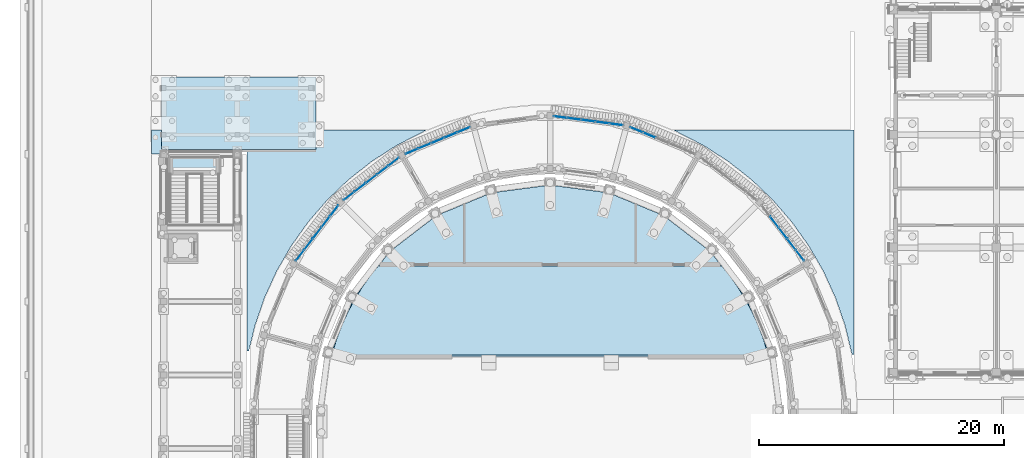
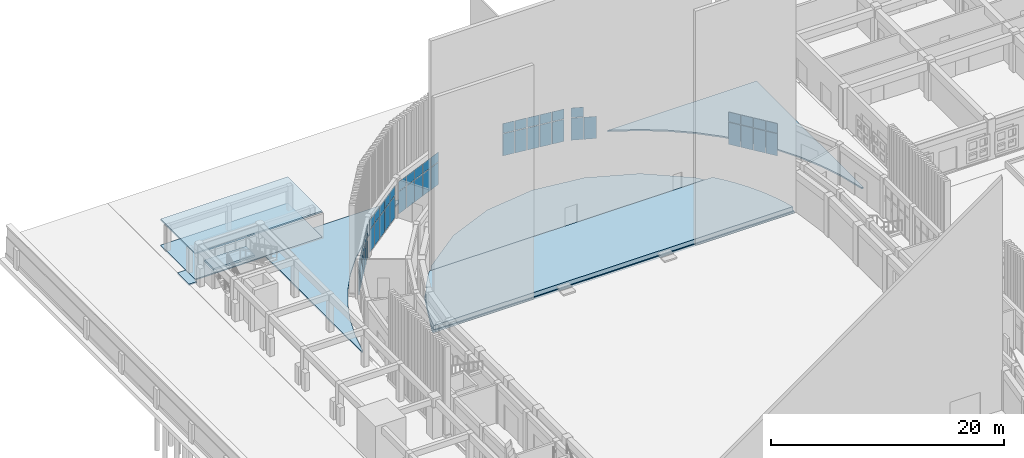
# One storey, part 53 of 112: 51 plates, 8 slabs, 7 elements without a shape of their own.
"""IFC4 building model written with IfcOpenShell, lengths in metres."""

from ifc_helpers import new_model, si_unit, direction, frame, origin, origin_2d, place, context, subcontext, project, spatial, polyline, rectangle, outline, extrude, material, layer, layer_set, type_object, element, aggregate, save


model = new_model("IFC4")

# Units and contexts
model_context = context("Model", 3, precision=1e-05, world=origin(), true_north=direction((0.0, 1.0)))
body_context = subcontext(model_context, "Body", "Model", "MODEL_VIEW")
ifc_project = project(units=[si_unit("LENGTHUNIT", "METRE"), si_unit("AREAUNIT", "SQUARE_METRE"), si_unit("VOLUMEUNIT", "CUBIC_METRE"), si_unit("PLANEANGLEUNIT", "RADIAN"), si_unit("MASSUNIT", "GRAM", prefix="KILO")], contexts=[model_context])

# Site, building, storey
site_placement = place(None, origin())
site = spatial("IfcSite", under=ifc_project, at=site_placement, CompositionType="ELEMENT")
building_placement = place(site_placement, origin())
building = spatial("IfcBuilding", under=site, at=building_placement, Name="Wasatch Bagh Community Centre", CompositionType="ELEMENT")
storey_placement = place(building_placement, origin())
storey = spatial("IfcBuildingStorey", under=building, at=storey_placement, Name="L00", CompositionType="ELEMENT", Elevation=0.0)

# Stair, slab
ifc_material_1 = material(Name="Concrete C35", Category="concrete")
stair_type = type_object("IfcStairType", Name="CT-ST1", PredefinedType="HALF_TURN_STAIR", material=ifc_material_1)
stair_placement = place(storey_placement, origin())
stair = element("IfcStair", 1, at=stair_placement, inside=storey, type_object=stair_type, Name="CS2 stair", PredefinedType="HALF_TURN_STAIR")
ifc_layer_1 = layer(ifc_material_1, 0.199951171875)
ifc_layer_set_1 = layer_set([ifc_layer_1], Name="Concrete C35")
slab_type_1 = type_object("IfcSlabType", Name="CT-SL1", PredefinedType="LANDING", material=ifc_layer_set_1)
slab_1_placement = place(storey_placement, frame((0.0, 0.0, 1.89990234375)))
slab_1 = element("IfcSlab", 2, at=slab_1_placement, type_object=slab_type_1, Name="CS2 landing 1", PredefinedType="LANDING", context=body_context, shape_type="SweptSolid", body=[
    extrude(outline(polyline([(4.949951171875, 85.89990234375), (9.050048828125, 85.89990234375), (9.050048828125, 84.3798828125), (4.949951171875, 84.3798828125), (4.949951171875, 85.89990234375)])), origin(), (0.0, 0.0, 1.0), 0.2001953125),
])
aggregate(stair, [slab_1])

# Curtain wall, plates
ifc_material_2 = material(Name="Aluminium curtain wall frame with low-iron insulated glass", Category="aluminium")
ifc_layer_2 = layer(ifc_material_2, 0.14990234375)
ifc_layer_set_2 = layer_set([ifc_layer_2], Name="Aluminium curtain wall frame with low-iron insulated glass")
curtain_wall_type = type_object("IfcCurtainWallType", Name="Drum curtain wall DR-CW1", PredefinedType="NOTDEFINED", material=ifc_layer_set_2)
curtain_wall_1_placement = place(storey_placement, origin())
curtain_wall_1 = element("IfcCurtainWall", 3, at=curtain_wall_1_placement, inside=storey, type_object=curtain_wall_type, Name="Curtain wall DR-CW1 21", PredefinedType="NOTDEFINED")
ifc_material_3 = material(Name="Low-iron insulated glass", Category="glass")
ifc_layer_3 = layer(ifc_material_3, 0.028076171875)
ifc_layer_set_3 = layer_set([ifc_layer_3], Name="Low-iron insulated glass")
plate_type = type_object("IfcPlateType", Name="Drum glass panel DR-CW1", PredefinedType="CURTAIN_PANEL", material=ifc_layer_set_3)
plate_1_placement = place(storey_placement, frame((56.393798828125, 77.753662109375, 0.06005859375), z_axis=(0.0, 0.0, 1.0), x_axis=(-0.608761429133, 0.793353340196, 0.0)))
plate_1 = element("IfcPlate", 4, at=plate_1_placement, type_object=plate_type, Name="DR-CW1 panel 1.1", PredefinedType="CURTAIN_PANEL", context=body_context, shape_type="SweptSolid", body=[
    extrude(rectangle(XDim=1.06591796875, YDim=0.028076171875, at=origin_2d()), origin(), (0.0, 0.0, 1.0), 2.31005859375),
])
plate_2_placement = place(storey_placement, frame((56.393798828125, 77.753662109375, 2.43017578125), z_axis=(0.0, 0.0, 1.0), x_axis=(-0.608761429133, 0.793353340196, 0.0)))
plate_2 = element("IfcPlate", 5, at=plate_2_placement, type_object=plate_type, Name="DR-CW1 panel 1.2", PredefinedType="CURTAIN_PANEL", context=body_context, shape_type="SweptSolid", body=[
    extrude(rectangle(XDim=1.06591796875, YDim=0.028076171875, at=origin_2d()), origin(), (0.0, 0.0, 1.0), 1.010009765625),
])
plate_3_placement = place(storey_placement, frame((55.69921875, 78.65869140625, 0.06005859375), z_axis=(0.0, 0.0, 1.0), x_axis=(-0.608761429133, 0.793353340196, 0.0)))
plate_3 = element("IfcPlate", 6, at=plate_3_placement, type_object=plate_type, Name="DR-CW1 panel 2.1", PredefinedType="CURTAIN_PANEL", context=body_context, shape_type="SweptSolid", body=[
    extrude(rectangle(XDim=1.095947265625, YDim=0.028076171875, at=origin_2d()), origin(), (0.0, 0.0, 1.0), 2.31005859375),
])
plate_4_placement = place(storey_placement, frame((55.69921875, 78.65869140625, 2.43017578125), z_axis=(0.0, 0.0, 1.0), x_axis=(-0.608761429133, 0.793353340196, 0.0)))
plate_4 = element("IfcPlate", 7, at=plate_4_placement, type_object=plate_type, Name="DR-CW1 panel 2.2", PredefinedType="CURTAIN_PANEL", context=body_context, shape_type="SweptSolid", body=[
    extrude(rectangle(XDim=1.095947265625, YDim=0.028076171875, at=origin_2d()), origin(), (0.0, 0.0, 1.0), 1.010009765625),
])
plate_5_placement = place(storey_placement, frame((54.99560546875, 79.575927734375, 0.06005859375), z_axis=(0.0, 0.0, 1.0), x_axis=(-0.608761429133, 0.793353340196, 0.0)))
plate_5 = element("IfcPlate", 8, at=plate_5_placement, type_object=plate_type, Name="DR-CW1 panel 3.1", PredefinedType="CURTAIN_PANEL", context=body_context, shape_type="SweptSolid", body=[
    extrude(rectangle(XDim=1.095947265625, YDim=0.028076171875, at=origin_2d()), origin(), (0.0, 0.0, 1.0), 2.31005859375),
])
plate_6_placement = place(storey_placement, frame((54.99560546875, 79.575927734375, 2.43017578125), z_axis=(0.0, 0.0, 1.0), x_axis=(-0.608761429133, 0.793353340196, 0.0)))
plate_6 = element("IfcPlate", 9, at=plate_6_placement, type_object=plate_type, Name="DR-CW1 panel 3.2", PredefinedType="CURTAIN_PANEL", context=body_context, shape_type="SweptSolid", body=[
    extrude(rectangle(XDim=1.095947265625, YDim=0.028076171875, at=origin_2d()), origin(), (0.0, 0.0, 1.0), 1.010009765625),
])
plate_7_placement = place(storey_placement, frame((54.2919921875, 80.492919921875, 0.06005859375), z_axis=(0.0, 0.0, 1.0), x_axis=(-0.608761429133, 0.793353340196, 0.0)))
plate_7 = element("IfcPlate", 10, at=plate_7_placement, type_object=plate_type, Name="DR-CW1 panel 4.1", PredefinedType="CURTAIN_PANEL", context=body_context, shape_type="SweptSolid", body=[
    extrude(rectangle(XDim=1.095947265625, YDim=0.028076171875, at=origin_2d()), origin(), (0.0, 0.0, 1.0), 2.31005859375),
])
plate_8_placement = place(storey_placement, frame((54.2919921875, 80.492919921875, 2.43017578125), z_axis=(0.0, 0.0, 1.0), x_axis=(-0.608761429133, 0.793353340196, 0.0)))
plate_8 = element("IfcPlate", 11, at=plate_8_placement, type_object=plate_type, Name="DR-CW1 panel 4.2", PredefinedType="CURTAIN_PANEL", context=body_context, shape_type="SweptSolid", body=[
    extrude(rectangle(XDim=1.095947265625, YDim=0.028076171875, at=origin_2d()), origin(), (0.0, 0.0, 1.0), 1.010009765625),
])
aggregate(curtain_wall_1, [plate_1, plate_2, plate_3, plate_4, plate_5, plate_6, plate_7, plate_8])

curtain_wall_2_placement = place(storey_placement, origin())
curtain_wall_2 = element("IfcCurtainWall", 12, at=curtain_wall_2_placement, inside=storey, type_object=curtain_wall_type, Name="Curtain wall DR-CW1 23", PredefinedType="NOTDEFINED")
plate_9_placement = place(storey_placement, frame((44.094970703125, 87.563232421875, 0.06005859375), z_axis=(0.0, 0.0, 1.0), x_axis=(-0.923879532451, 0.38268343251, 0.0)))
plate_9 = element("IfcPlate", 13, at=plate_9_placement, type_object=plate_type, Name="DR-CW1 panel 4.1", PredefinedType="CURTAIN_PANEL", context=body_context, shape_type="SweptSolid", body=[
    extrude(rectangle(XDim=1.095947265625, YDim=0.028076171875, at=origin_2d()), origin(), (0.0, 0.0, 1.0), 2.31005859375),
])
plate_10_placement = place(storey_placement, frame((43.040771484375, 87.999755859375, 0.06005859375), z_axis=(0.0, 0.0, 1.0), x_axis=(-0.923879532451, 0.38268343251, 0.0)))
plate_10 = element("IfcPlate", 14, at=plate_10_placement, type_object=plate_type, Name="DR-CW1 panel 5.1", PredefinedType="CURTAIN_PANEL", context=body_context, shape_type="SweptSolid", body=[
    extrude(rectangle(XDim=1.06591796875, YDim=0.028076171875, at=origin_2d()), origin(), (0.0, 0.0, 1.0), 2.31005859375),
])
plate_11_placement = place(storey_placement, frame((43.040771484375, 87.999755859375, 2.43017578125), z_axis=(0.0, 0.0, 1.0), x_axis=(-0.923879532451, 0.38268343251, 0.0)))
plate_11 = element("IfcPlate", 15, at=plate_11_placement, type_object=plate_type, Name="DR-CW1 panel 5.2", PredefinedType="CURTAIN_PANEL", context=body_context, shape_type="SweptSolid", body=[
    extrude(rectangle(XDim=1.06591796875, YDim=0.028076171875, at=origin_2d()), origin(), (0.0, 0.0, 1.0), 1.010009765625),
])
aggregate(curtain_wall_2, [plate_9, plate_10, plate_11])

curtain_wall_3_placement = place(storey_placement, origin())
curtain_wall_3 = element("IfcCurtainWall", 16, at=curtain_wall_3_placement, inside=storey, type_object=curtain_wall_type, Name="Curtain wall DR-CW1 24", PredefinedType="NOTDEFINED")
plate_12_placement = place(storey_placement, frame((41.40234375, 88.438720703125, 0.06005859375), z_axis=(0.0, 0.0, 1.0), x_axis=(-0.991444861378, 0.130526192185, 0.0)))
plate_12 = element("IfcPlate", 17, at=plate_12_placement, type_object=plate_type, Name="DR-CW1 panel 1.1", PredefinedType="CURTAIN_PANEL", context=body_context, shape_type="SweptSolid", body=[
    extrude(rectangle(XDim=1.06591796875, YDim=0.028076171875, at=origin_2d()), origin(), (0.0, 0.0, 1.0), 2.31005859375),
])
plate_13_placement = place(storey_placement, frame((41.40234375, 88.438720703125, 2.43017578125), z_axis=(0.0, 0.0, 1.0), x_axis=(-0.991444861378, 0.130526192185, 0.0)))
plate_13 = element("IfcPlate", 18, at=plate_13_placement, type_object=plate_type, Name="DR-CW1 panel 1.2", PredefinedType="CURTAIN_PANEL", context=body_context, shape_type="SweptSolid", body=[
    extrude(rectangle(XDim=1.06591796875, YDim=0.028076171875, at=origin_2d()), origin(), (0.0, 0.0, 1.0), 1.010009765625),
])
plate_14_placement = place(storey_placement, frame((40.271240234375, 88.587646484375, 0.06005859375), z_axis=(0.0, 0.0, 1.0), x_axis=(-0.991444861378, 0.130526192185, 0.0)))
plate_14 = element("IfcPlate", 19, at=plate_14_placement, type_object=plate_type, Name="DR-CW1 panel 2.1", PredefinedType="CURTAIN_PANEL", context=body_context, shape_type="SweptSolid", body=[
    extrude(rectangle(XDim=1.095947265625, YDim=0.028076171875, at=origin_2d()), origin(), (0.0, 0.0, 1.0), 2.31005859375),
])
plate_15_placement = place(storey_placement, frame((40.271240234375, 88.587646484375, 2.43017578125), z_axis=(0.0, 0.0, 1.0), x_axis=(-0.991444861378, 0.130526192185, 0.0)))
plate_15 = element("IfcPlate", 20, at=plate_15_placement, type_object=plate_type, Name="DR-CW1 panel 2.2", PredefinedType="CURTAIN_PANEL", context=body_context, shape_type="SweptSolid", body=[
    extrude(rectangle(XDim=1.095947265625, YDim=0.028076171875, at=origin_2d()), origin(), (0.0, 0.0, 1.0), 1.010009765625),
])
plate_16_placement = place(storey_placement, frame((39.125244140625, 88.738525390625, 0.06005859375), z_axis=(0.0, 0.0, 1.0), x_axis=(-0.991444861378, 0.130526192185, 0.0)))
plate_16 = element("IfcPlate", 21, at=plate_16_placement, type_object=plate_type, Name="DR-CW1 panel 3.1", PredefinedType="CURTAIN_PANEL", context=body_context, shape_type="SweptSolid", body=[
    extrude(rectangle(XDim=1.095947265625, YDim=0.028076171875, at=origin_2d()), origin(), (0.0, 0.0, 1.0), 2.31005859375),
])
plate_17_placement = place(storey_placement, frame((39.125244140625, 88.738525390625, 2.43017578125), z_axis=(0.0, 0.0, 1.0), x_axis=(-0.991444861378, 0.130526192185, 0.0)))
plate_17 = element("IfcPlate", 22, at=plate_17_placement, type_object=plate_type, Name="DR-CW1 panel 3.2", PredefinedType="CURTAIN_PANEL", context=body_context, shape_type="SweptSolid", body=[
    extrude(rectangle(XDim=1.095947265625, YDim=0.028076171875, at=origin_2d()), origin(), (0.0, 0.0, 1.0), 1.010009765625),
])
plate_18_placement = place(storey_placement, frame((37.979248046875, 88.889404296875, 0.06005859375), z_axis=(0.0, 0.0, 1.0), x_axis=(-0.991444861378, 0.130526192185, 0.0)))
plate_18 = element("IfcPlate", 23, at=plate_18_placement, type_object=plate_type, Name="DR-CW1 panel 4.1", PredefinedType="CURTAIN_PANEL", context=body_context, shape_type="SweptSolid", body=[
    extrude(rectangle(XDim=1.095947265625, YDim=0.028076171875, at=origin_2d()), origin(), (0.0, 0.0, 1.0), 2.31005859375),
])
plate_19_placement = place(storey_placement, frame((37.979248046875, 88.889404296875, 2.43017578125), z_axis=(0.0, 0.0, 1.0), x_axis=(-0.991444861378, 0.130526192185, 0.0)))
plate_19 = element("IfcPlate", 24, at=plate_19_placement, type_object=plate_type, Name="DR-CW1 panel 4.2", PredefinedType="CURTAIN_PANEL", context=body_context, shape_type="SweptSolid", body=[
    extrude(rectangle(XDim=1.095947265625, YDim=0.028076171875, at=origin_2d()), origin(), (0.0, 0.0, 1.0), 1.010009765625),
])
plate_20_placement = place(storey_placement, frame((36.84814453125, 89.038330078125, 0.06005859375), z_axis=(0.0, 0.0, 1.0), x_axis=(-0.991444861378, 0.130526192185, 0.0)))
plate_20 = element("IfcPlate", 25, at=plate_20_placement, type_object=plate_type, Name="DR-CW1 panel 5.1", PredefinedType="CURTAIN_PANEL", context=body_context, shape_type="SweptSolid", body=[
    extrude(rectangle(XDim=1.06591796875, YDim=0.028076171875, at=origin_2d()), origin(), (0.0, 0.0, 1.0), 2.31005859375),
])
plate_21_placement = place(storey_placement, frame((36.84814453125, 89.038330078125, 2.43017578125), z_axis=(0.0, 0.0, 1.0), x_axis=(-0.991444861378, 0.130526192185, 0.0)))
plate_21 = element("IfcPlate", 26, at=plate_21_placement, type_object=plate_type, Name="DR-CW1 panel 5.2", PredefinedType="CURTAIN_PANEL", context=body_context, shape_type="SweptSolid", body=[
    extrude(rectangle(XDim=1.06591796875, YDim=0.028076171875, at=origin_2d()), origin(), (0.0, 0.0, 1.0), 1.010009765625),
])
aggregate(curtain_wall_3, [plate_12, plate_13, plate_14, plate_15, plate_16, plate_17, plate_18, plate_19, plate_20, plate_21])

curtain_wall_4_placement = place(storey_placement, origin())
curtain_wall_4 = element("IfcCurtainWall", 27, at=curtain_wall_4_placement, inside=storey, type_object=curtain_wall_type, Name="Curtain wall DR-CW1 26", PredefinedType="NOTDEFINED")
plate_22_placement = place(storey_placement, frame((28.959228515625, 87.999755859375, 0.06005859375), z_axis=(0.0, 0.0, 1.0), x_axis=(-0.923879532451, -0.38268343251, 0.0)))
plate_22 = element("IfcPlate", 28, at=plate_22_placement, type_object=plate_type, Name="DR-CW1 panel 1.1", PredefinedType="CURTAIN_PANEL", context=body_context, shape_type="SweptSolid", body=[
    extrude(rectangle(XDim=1.06591796875, YDim=0.028076171875, at=origin_2d()), origin(), (0.0, 0.0, 1.0), 2.31005859375),
])
plate_23_placement = place(storey_placement, frame((28.959228515625, 87.999755859375, 2.43017578125), z_axis=(0.0, 0.0, 1.0), x_axis=(-0.923879532451, -0.38268343251, 0.0)))
plate_23 = element("IfcPlate", 29, at=plate_23_placement, type_object=plate_type, Name="DR-CW1 panel 1.2", PredefinedType="CURTAIN_PANEL", context=body_context, shape_type="SweptSolid", body=[
    extrude(rectangle(XDim=1.06591796875, YDim=0.028076171875, at=origin_2d()), origin(), (0.0, 0.0, 1.0), 1.010009765625),
])
plate_24_placement = place(storey_placement, frame((27.905029296875, 87.563232421875, 0.06005859375), z_axis=(0.0, 0.0, 1.0), x_axis=(-0.923879532451, -0.38268343251, 0.0)))
plate_24 = element("IfcPlate", 30, at=plate_24_placement, type_object=plate_type, Name="DR-CW1 panel 2.1", PredefinedType="CURTAIN_PANEL", context=body_context, shape_type="SweptSolid", body=[
    extrude(rectangle(XDim=1.095947265625, YDim=0.028076171875, at=origin_2d()), origin(), (0.0, 0.0, 1.0), 2.31005859375),
])
plate_25_placement = place(storey_placement, frame((27.905029296875, 87.563232421875, 2.43017578125), z_axis=(0.0, 0.0, 1.0), x_axis=(-0.923879532451, -0.38268343251, 0.0)))
plate_25 = element("IfcPlate", 31, at=plate_25_placement, type_object=plate_type, Name="DR-CW1 panel 2.2", PredefinedType="CURTAIN_PANEL", context=body_context, shape_type="SweptSolid", body=[
    extrude(rectangle(XDim=1.095947265625, YDim=0.028076171875, at=origin_2d()), origin(), (0.0, 0.0, 1.0), 1.010009765625),
])
plate_26_placement = place(storey_placement, frame((26.837158203125, 87.120849609375, 0.06005859375), z_axis=(0.0, 0.0, 1.0), x_axis=(-0.923879532451, -0.38268343251, 0.0)))
plate_26 = element("IfcPlate", 32, at=plate_26_placement, type_object=plate_type, Name="DR-CW1 panel 3.1", PredefinedType="CURTAIN_PANEL", context=body_context, shape_type="SweptSolid", body=[
    extrude(rectangle(XDim=1.095947265625, YDim=0.028076171875, at=origin_2d()), origin(), (0.0, 0.0, 1.0), 2.31005859375),
])
plate_27_placement = place(storey_placement, frame((26.837158203125, 87.120849609375, 2.43017578125), z_axis=(0.0, 0.0, 1.0), x_axis=(-0.923879532451, -0.38268343251, 0.0)))
plate_27 = element("IfcPlate", 33, at=plate_27_placement, type_object=plate_type, Name="DR-CW1 panel 3.2", PredefinedType="CURTAIN_PANEL", context=body_context, shape_type="SweptSolid", body=[
    extrude(rectangle(XDim=1.095947265625, YDim=0.028076171875, at=origin_2d()), origin(), (0.0, 0.0, 1.0), 1.010009765625),
])
plate_28_placement = place(storey_placement, frame((25.769287109375, 86.678466796875, 0.06005859375), z_axis=(0.0, 0.0, 1.0), x_axis=(-0.923879532451, -0.38268343251, 0.0)))
plate_28 = element("IfcPlate", 34, at=plate_28_placement, type_object=plate_type, Name="DR-CW1 panel 4.1", PredefinedType="CURTAIN_PANEL", context=body_context, shape_type="SweptSolid", body=[
    extrude(rectangle(XDim=1.095947265625, YDim=0.028076171875, at=origin_2d()), origin(), (0.0, 0.0, 1.0), 2.31005859375),
])
plate_29_placement = place(storey_placement, frame((25.769287109375, 86.678466796875, 2.43017578125), z_axis=(0.0, 0.0, 1.0), x_axis=(-0.923879532451, -0.38268343251, 0.0)))
plate_29 = element("IfcPlate", 35, at=plate_29_placement, type_object=plate_type, Name="DR-CW1 panel 4.2", PredefinedType="CURTAIN_PANEL", context=body_context, shape_type="SweptSolid", body=[
    extrude(rectangle(XDim=1.095947265625, YDim=0.028076171875, at=origin_2d()), origin(), (0.0, 0.0, 1.0), 1.010009765625),
])
plate_30_placement = place(storey_placement, frame((24.71533203125, 86.241943359375, 0.06005859375), z_axis=(0.0, 0.0, 1.0), x_axis=(-0.923879532451, -0.38268343251, 0.0)))
plate_30 = element("IfcPlate", 36, at=plate_30_placement, type_object=plate_type, Name="DR-CW1 panel 5.1", PredefinedType="CURTAIN_PANEL", context=body_context, shape_type="SweptSolid", body=[
    extrude(rectangle(XDim=1.06591796875, YDim=0.028076171875, at=origin_2d()), origin(), (0.0, 0.0, 1.0), 2.31005859375),
])
plate_31_placement = place(storey_placement, frame((24.71533203125, 86.241943359375, 2.43017578125), z_axis=(0.0, 0.0, 1.0), x_axis=(-0.923879532451, -0.38268343251, 0.0)))
plate_31 = element("IfcPlate", 37, at=plate_31_placement, type_object=plate_type, Name="DR-CW1 panel 5.2", PredefinedType="CURTAIN_PANEL", context=body_context, shape_type="SweptSolid", body=[
    extrude(rectangle(XDim=1.06591796875, YDim=0.028076171875, at=origin_2d()), origin(), (0.0, 0.0, 1.0), 1.010009765625),
])
aggregate(curtain_wall_4, [plate_22, plate_23, plate_24, plate_25, plate_26, plate_27, plate_28, plate_29, plate_30, plate_31])

curtain_wall_5_placement = place(storey_placement, origin())
curtain_wall_5 = element("IfcCurtainWall", 38, at=curtain_wall_5_placement, inside=storey, type_object=curtain_wall_type, Name="Curtain wall DR-CW1 27", PredefinedType="NOTDEFINED")
plate_32_placement = place(storey_placement, frame((23.246337890625, 85.393798828125, 0.06005859375), z_axis=(0.0, 0.0, 1.0), x_axis=(-0.793353340196, -0.608761429133, 0.0)))
plate_32 = element("IfcPlate", 39, at=plate_32_placement, type_object=plate_type, Name="DR-CW1 panel 1.1", PredefinedType="CURTAIN_PANEL", context=body_context, shape_type="SweptSolid", body=[
    extrude(rectangle(XDim=1.06591796875, YDim=0.028076171875, at=origin_2d()), origin(), (0.0, 0.0, 1.0), 2.31005859375),
])
plate_33_placement = place(storey_placement, frame((23.246337890625, 85.393798828125, 2.43017578125), z_axis=(0.0, 0.0, 1.0), x_axis=(-0.793353340196, -0.608761429133, 0.0)))
plate_33 = element("IfcPlate", 40, at=plate_33_placement, type_object=plate_type, Name="DR-CW1 panel 1.2", PredefinedType="CURTAIN_PANEL", context=body_context, shape_type="SweptSolid", body=[
    extrude(rectangle(XDim=1.06591796875, YDim=0.028076171875, at=origin_2d()), origin(), (0.0, 0.0, 1.0), 1.010009765625),
])
plate_34_placement = place(storey_placement, frame((22.34130859375, 84.69921875, 0.06005859375), z_axis=(0.0, 0.0, 1.0), x_axis=(-0.793353340196, -0.608761429133, 0.0)))
plate_34 = element("IfcPlate", 41, at=plate_34_placement, type_object=plate_type, Name="DR-CW1 panel 2.1", PredefinedType="CURTAIN_PANEL", context=body_context, shape_type="SweptSolid", body=[
    extrude(rectangle(XDim=1.095947265625, YDim=0.028076171875, at=origin_2d()), origin(), (0.0, 0.0, 1.0), 2.31005859375),
])
plate_35_placement = place(storey_placement, frame((22.34130859375, 84.69921875, 2.43017578125), z_axis=(0.0, 0.0, 1.0), x_axis=(-0.793353340196, -0.608761429133, 0.0)))
plate_35 = element("IfcPlate", 42, at=plate_35_placement, type_object=plate_type, Name="DR-CW1 panel 2.2", PredefinedType="CURTAIN_PANEL", context=body_context, shape_type="SweptSolid", body=[
    extrude(rectangle(XDim=1.095947265625, YDim=0.028076171875, at=origin_2d()), origin(), (0.0, 0.0, 1.0), 1.010009765625),
])
plate_36_placement = place(storey_placement, frame((21.424072265625, 83.99560546875, 0.06005859375), z_axis=(0.0, 0.0, 1.0), x_axis=(-0.793353340196, -0.608761429133, 0.0)))
plate_36 = element("IfcPlate", 43, at=plate_36_placement, type_object=plate_type, Name="DR-CW1 panel 3.1", PredefinedType="CURTAIN_PANEL", context=body_context, shape_type="SweptSolid", body=[
    extrude(rectangle(XDim=1.095947265625, YDim=0.028076171875, at=origin_2d()), origin(), (0.0, 0.0, 1.0), 2.31005859375),
])
plate_37_placement = place(storey_placement, frame((21.424072265625, 83.99560546875, 2.43017578125), z_axis=(0.0, 0.0, 1.0), x_axis=(-0.793353340196, -0.608761429133, 0.0)))
plate_37 = element("IfcPlate", 44, at=plate_37_placement, type_object=plate_type, Name="DR-CW1 panel 3.2", PredefinedType="CURTAIN_PANEL", context=body_context, shape_type="SweptSolid", body=[
    extrude(rectangle(XDim=1.095947265625, YDim=0.028076171875, at=origin_2d()), origin(), (0.0, 0.0, 1.0), 1.010009765625),
])
plate_38_placement = place(storey_placement, frame((20.507080078125, 83.2919921875, 0.06005859375), z_axis=(0.0, 0.0, 1.0), x_axis=(-0.793353340196, -0.608761429133, 0.0)))
plate_38 = element("IfcPlate", 45, at=plate_38_placement, type_object=plate_type, Name="DR-CW1 panel 4.1", PredefinedType="CURTAIN_PANEL", context=body_context, shape_type="SweptSolid", body=[
    extrude(rectangle(XDim=1.095947265625, YDim=0.028076171875, at=origin_2d()), origin(), (0.0, 0.0, 1.0), 2.31005859375),
])
plate_39_placement = place(storey_placement, frame((20.507080078125, 83.2919921875, 2.43017578125), z_axis=(0.0, 0.0, 1.0), x_axis=(-0.793353340196, -0.608761429133, 0.0)))
plate_39 = element("IfcPlate", 46, at=plate_39_placement, type_object=plate_type, Name="DR-CW1 panel 4.2", PredefinedType="CURTAIN_PANEL", context=body_context, shape_type="SweptSolid", body=[
    extrude(rectangle(XDim=1.095947265625, YDim=0.028076171875, at=origin_2d()), origin(), (0.0, 0.0, 1.0), 1.010009765625),
])
plate_40_placement = place(storey_placement, frame((19.60205078125, 82.597412109375, 0.06005859375), z_axis=(0.0, 0.0, 1.0), x_axis=(-0.793353340196, -0.608761429133, 0.0)))
plate_40 = element("IfcPlate", 47, at=plate_40_placement, type_object=plate_type, Name="DR-CW1 panel 5.1", PredefinedType="CURTAIN_PANEL", context=body_context, shape_type="SweptSolid", body=[
    extrude(rectangle(XDim=1.06591796875, YDim=0.028076171875, at=origin_2d()), origin(), (0.0, 0.0, 1.0), 2.31005859375),
])
plate_41_placement = place(storey_placement, frame((19.60205078125, 82.597412109375, 2.43017578125), z_axis=(0.0, 0.0, 1.0), x_axis=(-0.793353340196, -0.608761429133, 0.0)))
plate_41 = element("IfcPlate", 48, at=plate_41_placement, type_object=plate_type, Name="DR-CW1 panel 5.2", PredefinedType="CURTAIN_PANEL", context=body_context, shape_type="SweptSolid", body=[
    extrude(rectangle(XDim=1.06591796875, YDim=0.028076171875, at=origin_2d()), origin(), (0.0, 0.0, 1.0), 1.010009765625),
])
aggregate(curtain_wall_5, [plate_32, plate_33, plate_34, plate_35, plate_36, plate_37, plate_38, plate_39, plate_40, plate_41])

curtain_wall_6_placement = place(storey_placement, origin())
curtain_wall_6 = element("IfcCurtainWall", 49, at=curtain_wall_6_placement, inside=storey, type_object=curtain_wall_type, Name="Curtain wall DR-CW1 28", PredefinedType="NOTDEFINED")
plate_42_placement = place(storey_placement, frame((18.402587890625, 81.39794921875, 0.06005859375), z_axis=(0.0, 0.0, 1.0), x_axis=(-0.608761429133, -0.793353340196, 0.0)))
plate_42 = element("IfcPlate", 50, at=plate_42_placement, type_object=plate_type, Name="DR-CW1 panel 1.1", PredefinedType="CURTAIN_PANEL", context=body_context, shape_type="SweptSolid", body=[
    extrude(rectangle(XDim=1.06591796875, YDim=0.028076171875, at=origin_2d()), origin(), (0.0, 0.0, 1.0), 2.31005859375),
])
plate_43_placement = place(storey_placement, frame((18.402587890625, 81.39794921875, 2.43017578125), z_axis=(0.0, 0.0, 1.0), x_axis=(-0.608761429133, -0.793353340196, 0.0)))
plate_43 = element("IfcPlate", 51, at=plate_43_placement, type_object=plate_type, Name="DR-CW1 panel 1.2", PredefinedType="CURTAIN_PANEL", context=body_context, shape_type="SweptSolid", body=[
    extrude(rectangle(XDim=1.06591796875, YDim=0.028076171875, at=origin_2d()), origin(), (0.0, 0.0, 1.0), 1.010009765625),
])
plate_44_placement = place(storey_placement, frame((17.7080078125, 80.492919921875, 0.06005859375), z_axis=(0.0, 0.0, 1.0), x_axis=(-0.608761429133, -0.793353340196, 0.0)))
plate_44 = element("IfcPlate", 52, at=plate_44_placement, type_object=plate_type, Name="DR-CW1 panel 2.1", PredefinedType="CURTAIN_PANEL", context=body_context, shape_type="SweptSolid", body=[
    extrude(rectangle(XDim=1.095947265625, YDim=0.028076171875, at=origin_2d()), origin(), (0.0, 0.0, 1.0), 2.31005859375),
])
plate_45_placement = place(storey_placement, frame((17.7080078125, 80.492919921875, 2.43017578125), z_axis=(0.0, 0.0, 1.0), x_axis=(-0.608761429133, -0.793353340196, 0.0)))
plate_45 = element("IfcPlate", 53, at=plate_45_placement, type_object=plate_type, Name="DR-CW1 panel 2.2", PredefinedType="CURTAIN_PANEL", context=body_context, shape_type="SweptSolid", body=[
    extrude(rectangle(XDim=1.095947265625, YDim=0.028076171875, at=origin_2d()), origin(), (0.0, 0.0, 1.0), 1.010009765625),
])
plate_46_placement = place(storey_placement, frame((17.00439453125, 79.575927734375, 0.06005859375), z_axis=(0.0, 0.0, 1.0), x_axis=(-0.608761429133, -0.793353340196, 0.0)))
plate_46 = element("IfcPlate", 54, at=plate_46_placement, type_object=plate_type, Name="DR-CW1 panel 3.1", PredefinedType="CURTAIN_PANEL", context=body_context, shape_type="SweptSolid", body=[
    extrude(rectangle(XDim=1.095947265625, YDim=0.028076171875, at=origin_2d()), origin(), (0.0, 0.0, 1.0), 2.31005859375),
])
plate_47_placement = place(storey_placement, frame((17.00439453125, 79.575927734375, 2.43017578125), z_axis=(0.0, 0.0, 1.0), x_axis=(-0.608761429133, -0.793353340196, 0.0)))
plate_47 = element("IfcPlate", 55, at=plate_47_placement, type_object=plate_type, Name="DR-CW1 panel 3.2", PredefinedType="CURTAIN_PANEL", context=body_context, shape_type="SweptSolid", body=[
    extrude(rectangle(XDim=1.095947265625, YDim=0.028076171875, at=origin_2d()), origin(), (0.0, 0.0, 1.0), 1.010009765625),
])
plate_48_placement = place(storey_placement, frame((16.30078125, 78.65869140625, 0.06005859375), z_axis=(0.0, 0.0, 1.0), x_axis=(-0.608761429133, -0.793353340196, 0.0)))
plate_48 = element("IfcPlate", 56, at=plate_48_placement, type_object=plate_type, Name="DR-CW1 panel 4.1", PredefinedType="CURTAIN_PANEL", context=body_context, shape_type="SweptSolid", body=[
    extrude(rectangle(XDim=1.095947265625, YDim=0.028076171875, at=origin_2d()), origin(), (0.0, 0.0, 1.0), 2.31005859375),
])
plate_49_placement = place(storey_placement, frame((16.30078125, 78.65869140625, 2.43017578125), z_axis=(0.0, 0.0, 1.0), x_axis=(-0.608761429133, -0.793353340196, 0.0)))
plate_49 = element("IfcPlate", 57, at=plate_49_placement, type_object=plate_type, Name="DR-CW1 panel 4.2", PredefinedType="CURTAIN_PANEL", context=body_context, shape_type="SweptSolid", body=[
    extrude(rectangle(XDim=1.095947265625, YDim=0.028076171875, at=origin_2d()), origin(), (0.0, 0.0, 1.0), 1.010009765625),
])
plate_50_placement = place(storey_placement, frame((15.606201171875, 77.753662109375, 0.06005859375), z_axis=(0.0, 0.0, 1.0), x_axis=(-0.608761429133, -0.793353340196, 0.0)))
plate_50 = element("IfcPlate", 58, at=plate_50_placement, type_object=plate_type, Name="DR-CW1 panel 5.1", PredefinedType="CURTAIN_PANEL", context=body_context, shape_type="SweptSolid", body=[
    extrude(rectangle(XDim=1.06591796875, YDim=0.028076171875, at=origin_2d()), origin(), (0.0, 0.0, 1.0), 2.31005859375),
])
plate_51_placement = place(storey_placement, frame((15.606201171875, 77.753662109375, 2.43017578125), z_axis=(0.0, 0.0, 1.0), x_axis=(-0.608761429133, -0.793353340196, 0.0)))
plate_51 = element("IfcPlate", 59, at=plate_51_placement, type_object=plate_type, Name="DR-CW1 panel 5.2", PredefinedType="CURTAIN_PANEL", context=body_context, shape_type="SweptSolid", body=[
    extrude(rectangle(XDim=1.06591796875, YDim=0.028076171875, at=origin_2d()), origin(), (0.0, 0.0, 1.0), 1.010009765625),
])
aggregate(curtain_wall_6, [plate_42, plate_43, plate_44, plate_45, plate_46, plate_47, plate_48, plate_49, plate_50, plate_51])

# Slabs
ifc_material_4 = material(Name="Concrete C30", Category="concrete")
ifc_layer_4 = layer(ifc_material_4, 0.199951171875)
ifc_layer_set_4 = layer_set([ifc_layer_4], Name="Concrete C30")
slab_type_2 = type_object("IfcSlabType", Name="MH slab on grade 200", PredefinedType="BASESLAB", material=ifc_layer_set_4)
slab_2_placement = place(storey_placement, frame((0.0, 0.0, -0.199951171875)))
element("IfcSlab", 60, at=slab_2_placement, inside=storey, type_object=slab_type_2, Name="Capsule slab on grade 3", PredefinedType="BASESLAB", context=body_context, shape_type="SweptSolid", body=[
    extrude(outline(polyline([(18.13720703125, 69.786376953125), (19.98486328125, 74.246337890625), (22.923583984375, 78.076416015625), (26.753662109375, 81.01513671875), (31.213623046875, 82.86279296875), (36.0, 83.492919921875), (40.786376953125, 82.86279296875), (45.246337890625, 81.01513671875), (49.076416015625, 78.076416015625), (52.01513671875, 74.246337890625), (53.86279296875, 69.786376953125), (53.898681640625, 69.512451171875), (18.101318359375, 69.512451171875), (18.13720703125, 69.786376953125)])), origin(), (0.0, 0.0, 1.0), 0.199951171875),
])
ifc_layer_5 = layer(ifc_material_1, 0.449951171875)
ifc_layer_set_5 = layer_set([ifc_layer_5], Name="Concrete C35")
slab_type_3 = type_object("IfcSlabType", Name="MH stage platform 450", PredefinedType="FLOOR", material=ifc_layer_set_5)
slab_3_placement = place(storey_placement, origin())
element("IfcSlab", 61, at=slab_3_placement, inside=storey, type_object=slab_type_3, Name="Stage platform", PredefinedType="FLOOR", context=body_context, shape_type="SweptSolid", body=[
    extrude(outline(polyline([(18.24609375, 69.7568359375), (18.595703125, 70.908447265625), (19.018798828125, 72.033935546875), (19.515625, 73.12890625), (20.0830078125, 74.18994140625), (20.7177734375, 75.211181640625), (21.418212890625, 76.18896484375), (21.985595703125, 76.8798828125), (50.014404296875, 76.8798828125), (50.581787109375, 76.18896484375), (51.2822265625, 75.211181640625), (51.9169921875, 74.18994140625), (52.484375, 73.12890625), (52.981201171875, 72.033935546875), (53.404296875, 70.908447265625), (53.75390625, 69.7568359375), (53.785888671875, 69.6201171875), (18.214111328125, 69.6201171875), (18.24609375, 69.7568359375)])), origin(), (0.0, 0.0, 1.0), 0.449951171875),
])
ifc_material_5 = material(Name="Grass-crete paving on Concrete C30 base", Category="concrete")
ifc_layer_6 = layer(ifc_material_5, 0.14990234375)
ifc_layer_set_6 = layer_set([ifc_layer_6], Name="Grass-crete paving on Concrete C30 base")
slab_type_4 = type_object("IfcSlabType", Name="SITE-G2", PredefinedType="FLOOR", material=ifc_layer_set_6)
slab_4_placement = place(storey_placement, frame((0.0, 0.0, -0.14990234375)))
element("IfcSlab", 62, at=slab_4_placement, inside=storey, type_object=slab_type_4, Name="Paving - North lawn", PredefinedType="FLOOR", context=body_context, shape_type="SweptSolid", body=[
    extrude(outline(polyline([(46.03515625, 88.0), (60.800048828125, 88.0), (60.800048828125, 69.6796875), (60.637451171875, 69.66015625), (60.054443359375, 72.06298828125), (59.274169921875, 74.317626953125), (58.283203125, 76.48779296875), (57.090087890625, 78.553955078125), (55.706298828125, 80.497314453125), (54.14404296875, 82.30029296875), (52.41748046875, 83.94677734375), (50.5419921875, 85.42138671875), (48.534912109375, 86.711181640625), (46.03515625, 88.0)])), origin(), (0.0, 0.0, 1.0), 0.14990234375),
])
slab_5_placement = place(storey_placement, frame((0.0, 0.0, -0.14990234375)))
element("IfcSlab", 63, at=slab_5_placement, inside=storey, type_object=slab_type_4, Name="Paving - North lawn 2", PredefinedType="FLOOR", context=body_context, shape_type="SweptSolid", body=[
    extrude(outline(polyline([(16.89990234375, 86.39990234375), (16.89990234375, 88.0), (25.96484375, 88.0), (23.465087890625, 86.711181640625), (21.4580078125, 85.42138671875), (19.58251953125, 83.94677734375), (17.85595703125, 82.30029296875), (16.293701171875, 80.497314453125), (14.909912109375, 78.553955078125), (13.716796875, 76.48779296875), (12.725830078125, 74.317626953125), (11.945556640625, 72.06298828125), (11.4326171875, 69.94873046875), (11.27001953125, 69.96826171875), (11.27001953125, 86.39990234375), (16.89990234375, 86.39990234375)])), origin(), (0.0, 0.0, 1.0), 0.14990234375),
])
slab_6_placement = place(storey_placement, frame((0.0, 0.0, -0.14990234375)))
element("IfcSlab", 64, at=slab_6_placement, inside=storey, type_object=slab_type_4, Name="Paving - North lawn 4", PredefinedType="FLOOR", context=body_context, shape_type="SweptSolid", body=[
    extrude(outline(polyline([(3.47998046875, 88.0), (4.300048828125, 88.0), (4.300048828125, 86.02001953125), (3.47998046875, 86.02001953125), (3.47998046875, 88.0)])), origin(), (0.0, 0.0, 1.0), 0.14990234375),
])
ifc_layer_7 = layer(ifc_material_4, 0.110107421875)
ifc_layer_set_7 = layer_set([ifc_layer_7], Name="Concrete C30")
slab_type_5 = type_object("IfcSlabType", Name="SITE-P9 on grade", PredefinedType="BASESLAB", material=ifc_layer_set_7)
slab_7_placement = place(storey_placement, frame((0.0, 0.0, -0.110107421875)))
element("IfcSlab", 65, at=slab_7_placement, inside=storey, type_object=slab_type_5, Name="Paving - Bicycle shelter floor", PredefinedType="BASESLAB", context=body_context, shape_type="SweptSolid", body=[
    extrude(outline(polyline([(4.300048828125, 92.300048828125), (16.89990234375, 92.300048828125), (16.89990234375, 86.39990234375), (4.300048828125, 86.39990234375), (4.300048828125, 92.300048828125)])), origin(), (0.0, 0.0, 1.0), 0.110107421875),
])
ifc_layer_8 = layer(ifc_material_1, 0.14990234375)
ifc_layer_set_8 = layer_set([ifc_layer_8], Name="Concrete C35")
slab_type_6 = type_object("IfcSlabType", Name="SITE-R1", PredefinedType="ROOF", material=ifc_layer_set_8)
slab_8_placement = place(storey_placement, frame((0.0, 0.0, 2.60009765625)))
element("IfcSlab", 66, at=slab_8_placement, inside=storey, type_object=slab_type_6, Name="Bicycle store roof", PredefinedType="ROOF", context=body_context, shape_type="SweptSolid", body=[
    extrude(outline(polyline([(4.300048828125, 86.39990234375), (16.89990234375, 86.39990234375), (16.89990234375, 92.300048828125), (4.300048828125, 92.300048828125), (4.300048828125, 86.39990234375)])), origin(), (0.0, 0.0, 1.0), 0.14990234375),
])

save(model, "model.ifc")
